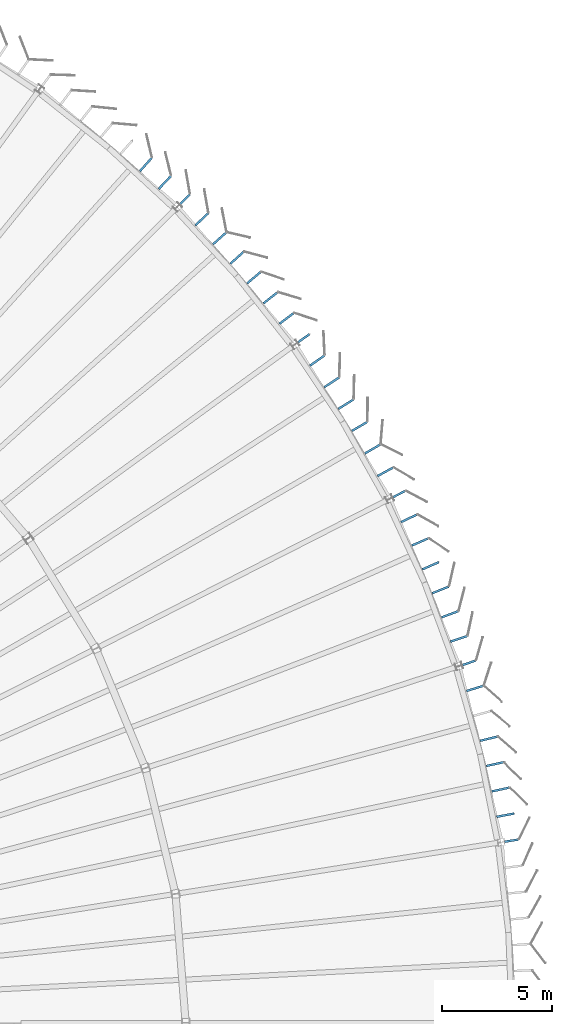
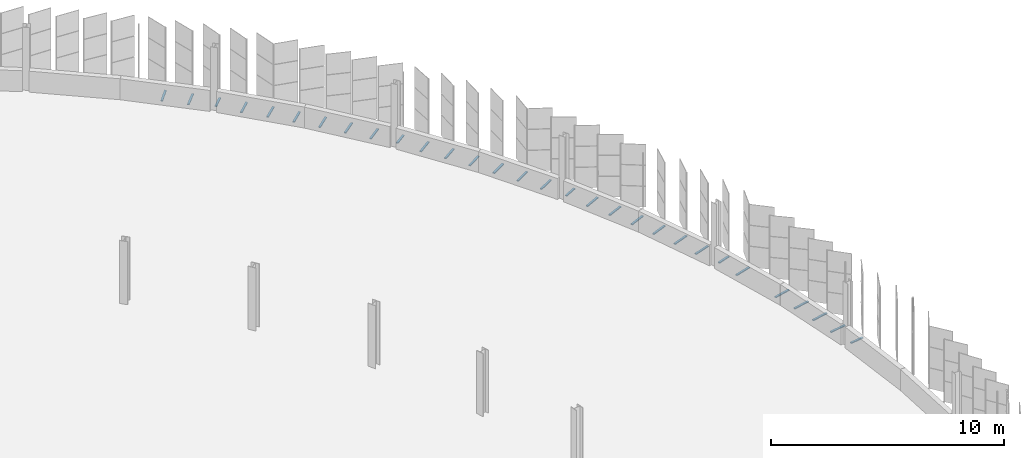
# One storey, part 188 of 214: 30 discrete accessories.
"""IFC4 building model written with IfcOpenShell, lengths in metres."""

from ifc_helpers import new_model, si_unit, direction, frame, origin, origin_2d, place, context, subcontext, project, spatial, rectangle, extrude, material, type_object, element, save


model = new_model("IFC4")

# Units and contexts
model_context = context("Model", 3, precision=1e-05, world=origin(), true_north=direction((0.0, 1.0)))
body_context = subcontext(model_context, "Body", "Model", "MODEL_VIEW")
ifc_project = project(units=[si_unit("LENGTHUNIT", "METRE"), si_unit("AREAUNIT", "SQUARE_METRE"), si_unit("VOLUMEUNIT", "CUBIC_METRE"), si_unit("PLANEANGLEUNIT", "RADIAN"), si_unit("MASSUNIT", "GRAM", prefix="KILO")], contexts=[model_context])

# Site, building, storey
site_placement = place(None, origin())
site = spatial("IfcSite", under=ifc_project, at=site_placement, CompositionType="ELEMENT")
building_placement = place(site_placement, origin())
building = spatial("IfcBuilding", under=site, at=building_placement, Name="Parallax Yard Mobility Hub", CompositionType="ELEMENT")
storey_placement = place(building_placement, frame((0.0, 0.0, 3.300048828125)))
storey = spatial("IfcBuildingStorey", under=building, at=storey_placement, Name="L01", CompositionType="ELEMENT", Elevation=3.300048828125)

# Discrete accessories
ifc_material = material(Name="Steel ASTM A36, hot-dip galvanised", Category="steel")
discrete_accessory_type = type_object("IfcDiscreteAccessoryType", Name="Hinge bracket plate 100x50", PredefinedType="BRACKET", material=ifc_material)
discrete_accessory_1_placement = place(storey_placement, frame((224.823974609375, 98.287109375, -0.02490234375), z_axis=(0.0, 0.0, 1.0), x_axis=(0.987688340595, 0.15643446504, 0.0)))
element("IfcDiscreteAccessory", 1, at=discrete_accessory_1_placement, inside=storey, type_object=discrete_accessory_type, Name="Hinge bracket plate bay 42.1 level L01", PredefinedType="BRACKET", context=body_context, shape_type="SweptSolid", body=[
    extrude(rectangle(XDim=0.652099609375, YDim=0.10009765625, at=origin_2d()), origin(), (0.0, 0.0, 1.0), 0.050048828125),
])
for number, where, z_axis, x_axis, name in (
    (2, (224.548828125, 99.446044921875, -0.02490234375), (0.0, 0.0, 1.0), (0.982818286533, 0.184575772126, 0.0), "Hinge bracket plate bay 42.2 level L01"),
    (3, (224.32666015625, 100.61279296875, -0.02490234375), (0.0, 0.0, 1.0), (0.977146967152, 0.212564824432, 0.0), "Hinge bracket plate bay 42.3 level L01"),
    (4, (224.07470703125, 101.770751953125, -0.02490234375), (0.0, 0.0, 1.0), (0.977146967152, 0.212564824432, 0.0), "Hinge bracket plate bay 42.4 level L01"),
    (5, (223.795166015625, 102.925048828125, -0.02490234375), (0.0, 0.0, 1.0), (0.970678315125, 0.240382213455, 0.0), "Hinge bracket plate bay 42.5 level L01"),
    (6, (223.16455078125, 105.215087890625, -0.02490234375), (0.0, 0.0, 1.0), (0.955372245566, 0.295404591031, 0.0), "Hinge bracket plate bay 42.7 level L01"),
):
    element("IfcDiscreteAccessory", number, at=place(storey_placement, frame(where, z_axis=z_axis, x_axis=x_axis)), inside=storey, type_object=discrete_accessory_type, Name=name, PredefinedType="BRACKET", context=body_context, shape_type="SweptSolid", body=[
        extrude(rectangle(XDim=0.80810546875, YDim=0.10009765625, at=origin_2d()), origin(), (0.0, 0.0, 1.0), 0.050048828125),
    ])
discrete_accessory_2_placement = place(storey_placement, frame((222.888427734375, 106.37548828125, -0.02490234375), z_axis=(0.0, 0.0, 1.0), x_axis=(0.946546844685, 0.322566382032, 0.0)))
element("IfcDiscreteAccessory", 7, at=discrete_accessory_2_placement, inside=storey, type_object=discrete_accessory_type, Name="Hinge bracket plate bay 43.1 level L01", PredefinedType="BRACKET", context=body_context, shape_type="SweptSolid", body=[
    extrude(rectangle(XDim=0.64990234375, YDim=0.10009765625, at=origin_2d()), origin(), (0.0, 0.0, 1.0), 0.050048828125),
])
for number, where, z_axis, x_axis, name in (
    (8, (222.431396484375, 107.47119140625, -0.02490234375), (0.0, 0.0, 1.0), (0.946546844685, 0.322566382032, 0.0), "Hinge bracket plate bay 43.2 level L01"),
    (9, (222.025146484375, 108.58740234375, -0.02490234375), (0.0, 0.0, 1.0), (0.93695000224, 0.349463436287, 0.0), "Hinge bracket plate bay 43.3 level L01"),
    (10, (221.595703125, 109.694580078125, -0.02490234375), (0.0, 0.0, 1.0), (0.92658837299, 0.37607710252, 0.0), "Hinge bracket plate bay 43.4 level L01"),
    (11, (221.143310546875, 110.79248046875, -0.02490234375), (0.0, 0.0, 1.0), (0.915470971385, 0.402384021242, 0.0), "Hinge bracket plate bay 43.5 level L01"),
    (12, (220.66650390625, 111.877197265625, -0.02490234375), (0.0, 0.0, 1.0), (0.915470971385, 0.402384021242, 0.0), "Hinge bracket plate bay 43.6 level L01"),
    (13, (220.16064453125, 112.95166015625, -0.02490234375), (0.0, 0.0, 1.0), (0.903607612974, 0.428361158107, 0.0), "Hinge bracket plate bay 43.7 level L01"),
):
    element("IfcDiscreteAccessory", number, at=place(storey_placement, frame(where, z_axis=z_axis, x_axis=x_axis)), inside=storey, type_object=discrete_accessory_type, Name=name, PredefinedType="BRACKET", context=body_context, shape_type="SweptSolid", body=[
        extrude(rectangle(XDim=0.80810546875, YDim=0.10009765625, at=origin_2d()), origin(), (0.0, 0.0, 1.0), 0.050048828125),
    ])
discrete_accessory_3_placement = place(storey_placement, frame((219.701904296875, 114.05078125, -0.02490234375), z_axis=(0.0, 0.0, 1.0), x_axis=(0.891006524188, 0.45399049974, 0.0)))
element("IfcDiscreteAccessory", 14, at=discrete_accessory_3_placement, inside=storey, type_object=discrete_accessory_type, Name="Hinge bracket plate bay 44.1 level L01", PredefinedType="BRACKET", context=body_context, shape_type="SweptSolid", body=[
    extrude(rectangle(XDim=0.652099609375, YDim=0.10009765625, at=origin_2d()), origin(), (0.0, 0.0, 1.0), 0.050048828125),
])
for number, where, z_axis, x_axis, name in (
    (15, (219.08251953125, 115.06787109375, -0.02490234375), (0.0, 0.0, 1.0), (0.877678685404, 0.479249543752, 0.0), "Hinge bracket plate bay 44.2 level L01"),
    (16, (218.510498046875, 116.108642578125, -0.02490234375), (0.0, 0.0, 1.0), (0.863635847332, 0.504116180263, 0.0), "Hinge bracket plate bay 44.3 level L01"),
    (17, (217.913330078125, 117.1318359375, -0.02490234375), (0.0, 0.0, 1.0), (0.863635847332, 0.504116180263, 0.0), "Hinge bracket plate bay 44.4 level L01"),
    (18, (217.290771484375, 118.143310546875, -0.02490234375), (0.0, 0.0, 1.0), (0.848887747723, 0.528573165953, 0.0), "Hinge bracket plate bay 44.5 level L01"),
    (19, (216.6474609375, 119.1416015625, -0.02490234375), (0.0, 0.0, 1.0), (0.833447252321, 0.552599020627, 0.0), "Hinge bracket plate bay 44.6 level L01"),
    (20, (215.9833984375, 120.126220703125, -0.02490234375), (0.0, 0.0, 1.0), (0.817327960788, 0.576172721078, 0.0), "Hinge bracket plate bay 44.7 level L01"),
):
    element("IfcDiscreteAccessory", number, at=place(storey_placement, frame(where, z_axis=z_axis, x_axis=x_axis)), inside=storey, type_object=discrete_accessory_type, Name=name, PredefinedType="BRACKET", context=body_context, shape_type="SweptSolid", body=[
        extrude(rectangle(XDim=0.80810546875, YDim=0.10009765625, at=origin_2d()), origin(), (0.0, 0.0, 1.0), 0.050048828125),
    ])
discrete_accessory_4_placement = place(storey_placement, frame((215.365478515625, 121.139892578125, -0.02490234375), z_axis=(0.0, 0.0, 1.0), x_axis=(0.817327960788, 0.576172721078, 0.0)))
element("IfcDiscreteAccessory", 21, at=discrete_accessory_4_placement, inside=storey, type_object=discrete_accessory_type, Name="Hinge bracket plate bay 45.1 level L01", PredefinedType="BRACKET", context=body_context, shape_type="SweptSolid", body=[
    extrude(rectangle(XDim=0.64990234375, YDim=0.10009765625, at=origin_2d()), origin(), (0.0, 0.0, 1.0), 0.050048828125),
])
for number, where, z_axis, x_axis, name in (
    (22, (214.589111328125, 122.04541015625, -0.02490234375), (0.0, 0.0, 1.0), (0.800541050754, 0.599277920549, 0.0), "Hinge bracket plate bay 45.2 level L01"),
    (23, (213.857666015625, 122.981201171875, -0.02490234375), (0.0, 0.0, 1.0), (0.783102264348, 0.62189295186, 0.0), "Hinge bracket plate bay 45.3 level L01"),
    (24, (213.107177734375, 123.901611328125, -0.02490234375), (0.0, 0.0, 1.0), (0.765023694181, 0.644002133025, 0.0), "Hinge bracket plate bay 45.4 level L01"),
    (25, (212.33740234375, 124.806396484375, -0.02490234375), (0.0, 0.0, 1.0), (0.746321131986, 0.66558603347, 0.0), "Hinge bracket plate bay 45.5 level L01"),
    (26, (211.548828125, 125.690673828125, -0.02490234375), (0.0, 0.0, 1.0), (0.746321131986, 0.66558603347, 0.0), "Hinge bracket plate bay 45.6 level L01"),
    (27, (210.735595703125, 126.556396484375, -0.02490234375), (0.0, 0.0, 1.0), (0.727011030908, 0.686625779401, 0.0), "Hinge bracket plate bay 45.7 level L01"),
):
    element("IfcDiscreteAccessory", number, at=place(storey_placement, frame(where, z_axis=z_axis, x_axis=x_axis)), inside=storey, type_object=discrete_accessory_type, Name=name, PredefinedType="BRACKET", context=body_context, shape_type="SweptSolid", body=[
        extrude(rectangle(XDim=0.80810546875, YDim=0.10009765625, at=origin_2d()), origin(), (0.0, 0.0, 1.0), 0.050048828125),
    ])
discrete_accessory_5_placement = place(storey_placement, frame((209.959716796875, 127.4599609375, -0.02490234375), z_axis=(0.0, 0.0, 1.0), x_axis=(0.707106781187, 0.707106781187, 0.0)))
element("IfcDiscreteAccessory", 28, at=discrete_accessory_5_placement, inside=storey, type_object=discrete_accessory_type, Name="Hinge bracket plate bay 46.1 level L01", PredefinedType="BRACKET", context=body_context, shape_type="SweptSolid", body=[
    extrude(rectangle(XDim=0.652099609375, YDim=0.10009765625, at=origin_2d()), origin(), (0.0, 0.0, 1.0), 0.050048828125),
])
for number, where, z_axis, x_axis, name in (
    (29, (209.055908203125, 128.23583984375, -0.02490234375), (0.0, 0.0, 1.0), (0.686625779401, 0.727011030908, 0.0), "Hinge bracket plate bay 46.2 level L01"),
    (30, (208.1904296875, 129.049072265625, -0.02490234375), (0.0, 0.0, 1.0), (0.66558603347, 0.746321131986, 0.0), "Hinge bracket plate bay 46.3 level L01"),
):
    element("IfcDiscreteAccessory", number, at=place(storey_placement, frame(where, z_axis=z_axis, x_axis=x_axis)), inside=storey, type_object=discrete_accessory_type, Name=name, PredefinedType="BRACKET", context=body_context, shape_type="SweptSolid", body=[
        extrude(rectangle(XDim=0.80810546875, YDim=0.10009765625, at=origin_2d()), origin(), (0.0, 0.0, 1.0), 0.050048828125),
    ])

save(model, "model.ifc")
